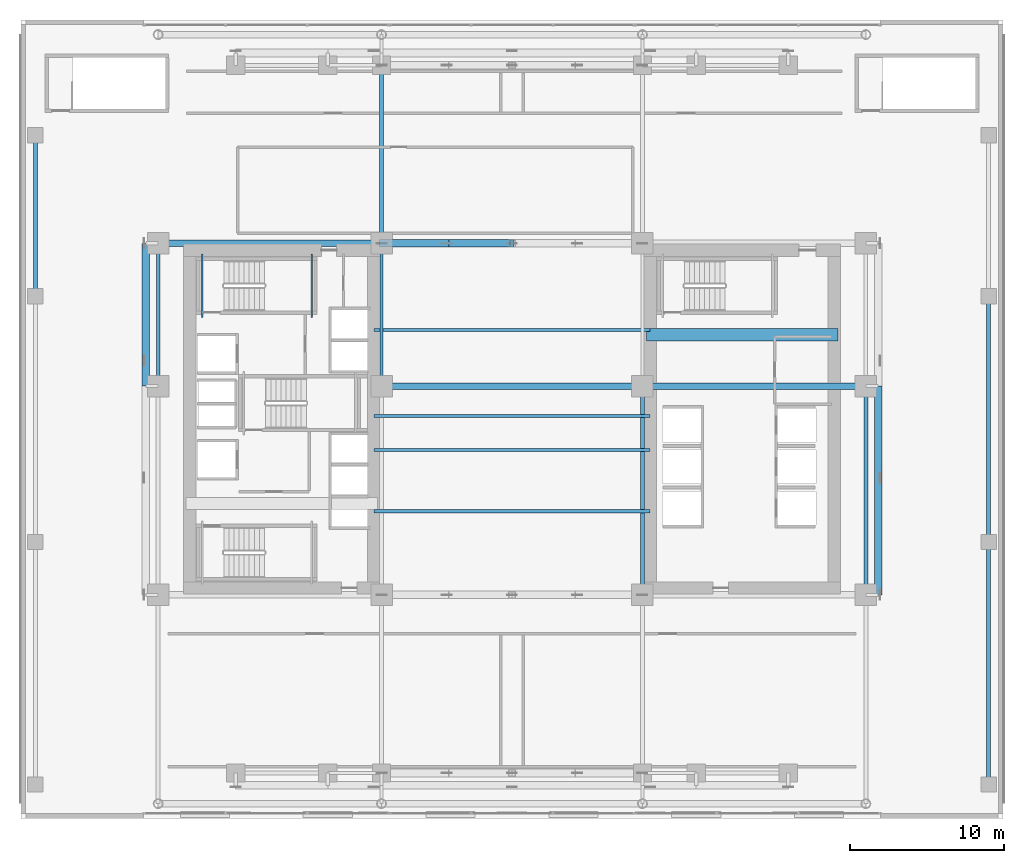
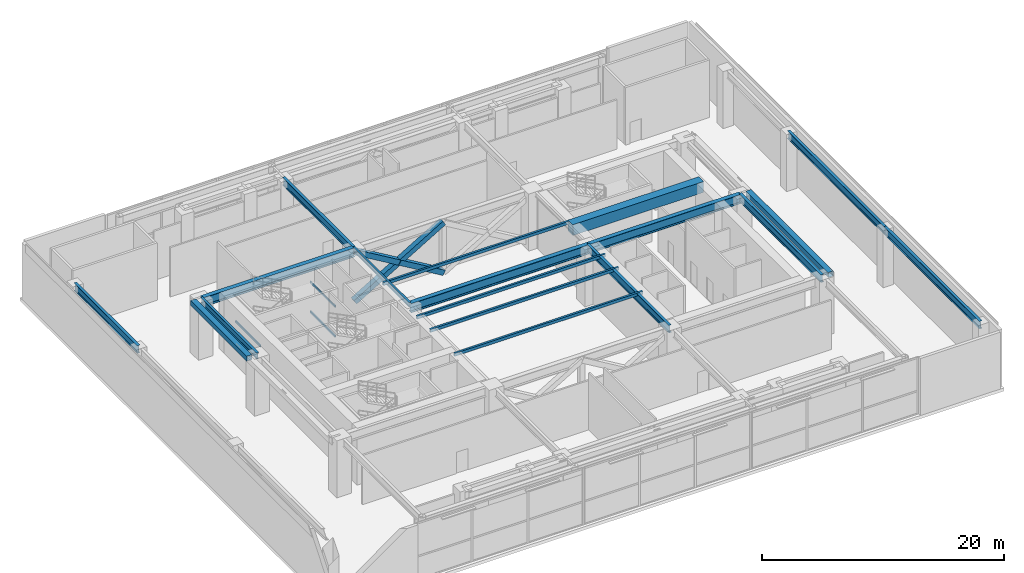
# One storey, part 11 of 29: 17 beams, 7 members.
"""IFC4 building model written with IfcOpenShell, lengths in metres."""

from ifc_helpers import new_model, si_unit, direction, frame, origin, origin_2d, place, context, subcontext, project, spatial, rectangle, hollow_rectangle, i_section, extrude, source, transform, mapped, material, material_profile, profile_set, type_object, element, save


model = new_model("IFC4")

# Units and contexts
model_context = context("Model", 3, precision=1e-05, world=origin(), true_north=direction((0.0, 1.0)))
body_context = subcontext(model_context, "Body", "Model", "MODEL_VIEW")
ifc_project = project(units=[si_unit("LENGTHUNIT", "METRE"), si_unit("AREAUNIT", "SQUARE_METRE"), si_unit("VOLUMEUNIT", "CUBIC_METRE"), si_unit("PLANEANGLEUNIT", "RADIAN"), si_unit("MASSUNIT", "GRAM", prefix="KILO")], contexts=[model_context])

# Site, building, storey
site_placement = place(None, origin())
site = spatial("IfcSite", under=ifc_project, at=site_placement, CompositionType="ELEMENT")
building_placement = place(site_placement, origin())
building = spatial("IfcBuilding", under=site, at=building_placement, Name="Ocotamira Hotel", CompositionType="ELEMENT")
storey_placement = place(building_placement, frame((0.0, 0.0, 28.800048828125)))
storey = spatial("IfcBuildingStorey", under=building, at=storey_placement, Name="L06", CompositionType="ELEMENT", Elevation=28.800048828125)

# Beams
ifc_material_1 = material(Name="Concrete C60/75", Category="concrete")
ifc_material_profile_1 = material_profile(ifc_material_1, rectangle(XDim=0.800048828125, YDim=1.10009765625, at=origin_2d()), Name="RC800X1100")
ifc_profile_set_1 = profile_set([ifc_material_profile_1], Name="Concrete C60/75")
beam_type_1 = type_object("IfcBeamType", Name="BM-LINK-RC800", PredefinedType="LINTEL", material=ifc_profile_set_1)
shared_shape_1 = source(origin(), body_context, "Body", "SweptSolid", [
    extrude(rectangle(XDim=0.800048828125, YDim=1.10009765625, at=origin_2d()), origin(), (0.0, 0.0, 1.0), 12.5),
])
beam_1_placement = place(storey_placement, frame((40.75, 31.5, 5.199951171875), z_axis=(1.0, 0.0, 0.0), x_axis=(0.0, 1.0, 0.0)))
element("IfcBeam", 1, at=beam_1_placement, inside=storey, type_object=beam_type_1, Name="L06 East Core Coupling Beam", PredefinedType="LINTEL", context=body_context, shape_type="MappedRepresentation", body=[
    mapped(shared_shape_1, transform((0.0, 0.0, 0.0), scale=1.0)),
])
ifc_material_2 = material(Name="Steel ASTM A500 Grade C", Category="steel")
ifc_material_profile_2 = material_profile(ifc_material_2, hollow_rectangle(XDim=0.10009765625, YDim=0.199951171875, WallThickness=0.008056640625, at=origin_2d()), Name="HSS200X100X8")
ifc_profile_set_2 = profile_set([ifc_material_profile_2], Name="Steel ASTM A500 Grade C")
beam_type_2 = type_object("IfcBeamType", Name="BM-STLDG-HSS200", PredefinedType="BEAM", material=ifc_profile_set_2)
shared_shape_2 = source(origin(), body_context, "Body", "SweptSolid", [
    extrude(hollow_rectangle(XDim=0.10009765625, YDim=0.199951171875, WallThickness=0.008056640625, at=origin_2d()), origin(), (0.0, 0.0, 1.0), 4.1201171875),
])
for number, where, z_axis, x_axis, name in (
    (2, (18.949951171875, 32.6298828125, 1.199951171875), (0.0, 1.0, 0.0), (-1.0, 0.0, 0.0), "L06 Stair ST-2 Landing Bearer 1"),
    (3, (11.81005859375, 32.6298828125, 2.699951171875), (0.0, 1.0, 0.0), (-1.0, 0.0, 0.0), "L06 Stair ST-2 Landing Bearer 2"),
    (4, (18.949951171875, 32.6298828125, 4.199951171875), (0.0, 1.0, 0.0), (-1.0, 0.0, 0.0), "L06 Stair ST-2 Landing Bearer 3"),
):
    element("IfcBeam", number, at=place(storey_placement, frame(where, z_axis=z_axis, x_axis=x_axis)), inside=storey, type_object=beam_type_2, Name=name, PredefinedType="BEAM", context=body_context, shape_type="MappedRepresentation", body=[
        mapped(shared_shape_2, transform((0.0, 0.0, 0.0), scale=1.0)),
    ])
ifc_material_3 = material(Name="Steel ASTM A992 Grade 50", Category="steel")
ifc_material_profile_3 = material_profile(ifc_material_3, i_section(OverallWidth=0.41796875, OverallDepth=0.927001953125, WebThickness=0.019287109375, FlangeThickness=0.031982421875, FilletRadius=0.02392578125, at=origin_2d()), Name="W36X231")
ifc_profile_set_3 = profile_set([ifc_material_profile_3], Name="Steel ASTM A992 Grade 50")
beam_type_3 = type_object("IfcBeamType", Name="BM-GIRD-W36X231", PredefinedType="BEAM", material=ifc_profile_set_3)
shared_shape_3 = source(origin(), body_context, "Body", "SweptSolid", [
    extrude(i_section(OverallWidth=0.41796875, OverallDepth=0.927001953125, WebThickness=0.019287109375, FlangeThickness=0.031982421875, FilletRadius=0.02392578125, at=origin_2d()), origin(), (0.0, 0.0, 1.0), 14.550048828125),
])
for number, where, z_axis, x_axis, name in (
    (5, (40.5, 28.14990234375, 5.286376953125), (1.0, 0.0, 0.0), (0.0, 1.0, 0.0), "L06 Girder Y28.15 X40.5-55.05"),
    (6, (8.949951171875, 37.449951171875, 5.286376953125), (1.0, 0.0, 0.0), (0.0, 1.0, 0.0), "L06 Girder Y37.45 X8.95-23.5"),
):
    element("IfcBeam", number, at=place(storey_placement, frame(where, z_axis=z_axis, x_axis=x_axis)), inside=storey, type_object=beam_type_3, Name=name, PredefinedType="BEAM", context=body_context, shape_type="MappedRepresentation", body=[
        mapped(shared_shape_3, transform((0.0, 0.0, 0.0), scale=1.0)),
    ])
ifc_material_profile_4 = material_profile(ifc_material_3, i_section(OverallWidth=0.26611328125, OverallDepth=0.779052734375, WebThickness=0.0166015625, FlangeThickness=0.030029296875, FilletRadius=0.01806640625, at=origin_2d()), Name="W30X148")
ifc_profile_set_4 = profile_set([ifc_material_profile_4], Name="Steel ASTM A992 Grade 50")
beam_type_4 = type_object("IfcBeamType", Name="BM-GIRD-W30X148", PredefinedType="BEAM", material=ifc_profile_set_4)
shared_shape_4 = source(origin(), body_context, "Body", "SweptSolid", [
    extrude(i_section(OverallWidth=0.26611328125, OverallDepth=0.779052734375, WebThickness=0.0166015625, FlangeThickness=0.030029296875, FilletRadius=0.01806640625, at=origin_2d()), origin(), (0.0, 0.0, 1.0), 15.800048828125),
])
beam_2_placement = place(storey_placement, frame((63.050048828125, 2.199951171875, 5.3603515625), z_axis=(0.0, 1.0, 0.0), x_axis=(-1.0, 0.0, 0.0)))
element("IfcBeam", 7, at=beam_2_placement, inside=storey, type_object=beam_type_4, Name="L06 Beam X63.05 Y2.2-18", PredefinedType="BEAM", context=body_context, shape_type="MappedRepresentation", body=[
    mapped(shared_shape_4, transform((0.0, 0.0, 0.0), scale=1.0)),
])
shared_shape_5 = source(origin(), body_context, "Body", "SweptSolid", [
    extrude(i_section(OverallWidth=0.26611328125, OverallDepth=0.779052734375, WebThickness=0.0166015625, FlangeThickness=0.030029296875, FilletRadius=0.01806640625, at=origin_2d()), origin(), (0.0, 0.0, 1.0), 16.0),
])
beam_3_placement = place(storey_placement, frame((63.050048828125, 18.0, 5.3603515625), z_axis=(0.0, 1.0, 0.0), x_axis=(-1.0, 0.0, 0.0)))
element("IfcBeam", 8, at=beam_3_placement, inside=storey, type_object=beam_type_4, Name="L06 Beam X63.05 Y18-34", PredefinedType="BEAM", context=body_context, shape_type="MappedRepresentation", body=[
    mapped(shared_shape_5, transform((0.0, 0.0, 0.0), scale=1.0)),
])
shared_shape_6 = source(origin(), body_context, "Body", "SweptSolid", [
    extrude(i_section(OverallWidth=0.26611328125, OverallDepth=0.779052734375, WebThickness=0.0166015625, FlangeThickness=0.030029296875, FilletRadius=0.01806640625, at=origin_2d()), origin(), (0.0, 0.0, 1.0), 10.5),
])
beam_4_placement = place(storey_placement, frame((0.949951171875, 34.0, 5.3603515625), z_axis=(0.0, 1.0, 0.0), x_axis=(-1.0, 0.0, 0.0)))
element("IfcBeam", 9, at=beam_4_placement, inside=storey, type_object=beam_type_4, Name="L06 Beam X0.95 Y34-44.5", PredefinedType="BEAM", context=body_context, shape_type="MappedRepresentation", body=[
    mapped(shared_shape_6, transform((0.0, 0.0, 0.0), scale=1.0)),
])
shared_shape_7 = source(origin(), body_context, "Body", "SweptSolid", [
    extrude(i_section(OverallWidth=0.26611328125, OverallDepth=0.779052734375, WebThickness=0.0166015625, FlangeThickness=0.030029296875, FilletRadius=0.01806640625, at=origin_2d()), origin(), (0.0, 0.0, 1.0), 13.599853515625),
])
for number, where, z_axis, x_axis, name in (
    (10, (40.5, 14.550048828125, 5.3603515625), (0.0, 1.0, 0.0), (-1.0, 0.0, 0.0), "L06 Beam X40.5 Y14.55-28.15"),
    (11, (55.050048828125, 14.550048828125, 5.3603515625), (0.0, 1.0, 0.0), (-1.0, 0.0, 0.0), "L06 Beam X55.05 Y14.55-28.15"),
):
    element("IfcBeam", number, at=place(storey_placement, frame(where, z_axis=z_axis, x_axis=x_axis)), inside=storey, type_object=beam_type_4, Name=name, PredefinedType="BEAM", context=body_context, shape_type="MappedRepresentation", body=[
        mapped(shared_shape_7, transform((0.0, 0.0, 0.0), scale=1.0)),
    ])
ifc_material_profile_5 = material_profile(ifc_material_3, i_section(OverallWidth=0.22998046875, OverallDepth=0.616943359375, WebThickness=0.01318359375, FlangeThickness=0.022216796875, FilletRadius=0.012939453125, at=origin_2d()), Name="W24X94")
ifc_profile_set_5 = profile_set([ifc_material_profile_5], Name="Steel ASTM A992 Grade 50")
beam_type_5 = type_object("IfcBeamType", Name="BM-PRIM-W24X94", PredefinedType="BEAM", material=ifc_profile_set_5)
shared_shape_8 = source(origin(), body_context, "Body", "SweptSolid", [
    extrude(i_section(OverallWidth=0.22998046875, OverallDepth=0.616943359375, WebThickness=0.01318359375, FlangeThickness=0.022216796875, FilletRadius=0.012939453125, at=origin_2d()), origin(), (0.0, 0.0, 1.0), 9.300048828125),
])
beam_5_placement = place(storey_placement, frame((8.949951171875, 28.14990234375, 5.44140625), z_axis=(0.0, 1.0, 0.0), x_axis=(-1.0, 0.0, 0.0)))
element("IfcBeam", 12, at=beam_5_placement, inside=storey, type_object=beam_type_5, Name="L06 Beam X8.95 Y28.15-37.45", PredefinedType="BEAM", context=body_context, shape_type="MappedRepresentation", body=[
    mapped(shared_shape_8, transform((0.0, 0.0, 0.0), scale=1.0)),
])
shared_shape_9 = source(origin(), body_context, "Body", "SweptSolid", [
    extrude(i_section(OverallWidth=0.26611328125, OverallDepth=0.779052734375, WebThickness=0.0166015625, FlangeThickness=0.030029296875, FilletRadius=0.01806640625, at=origin_2d()), origin(), (0.0, 0.0, 1.0), 11.60009765625),
])
beam_6_placement = place(storey_placement, frame((23.5, 37.449951171875, 5.3603515625), z_axis=(0.0, 1.0, 0.0), x_axis=(-1.0, 0.0, 0.0)))
element("IfcBeam", 13, at=beam_6_placement, inside=storey, type_object=beam_type_4, Name="L06 Beam X23.5 Y37.45-49.05", PredefinedType="BEAM", context=body_context, shape_type="MappedRepresentation", body=[
    mapped(shared_shape_9, transform((0.0, 0.0, 0.0), scale=1.0)),
])
ifc_material_profile_6 = material_profile(ifc_material_3, i_section(OverallWidth=0.18994140625, OverallDepth=0.45703125, WebThickness=0.009033203125, FlangeThickness=0.014404296875, FilletRadius=0.010009765625, at=origin_2d()), Name="W18X50")
ifc_profile_set_6 = profile_set([ifc_material_profile_6], Name="Steel ASTM A992 Grade 50")
beam_type_6 = type_object("IfcBeamType", Name="BM-SEC-W18X50", PredefinedType="JOIST", material=ifc_profile_set_6)
shared_shape_10 = source(origin(), body_context, "Body", "SweptSolid", [
    extrude(i_section(OverallWidth=0.18994140625, OverallDepth=0.45703125, WebThickness=0.009033203125, FlangeThickness=0.014404296875, FilletRadius=0.010009765625, at=origin_2d()), origin(), (0.0, 0.0, 1.0), 9.300048828125),
])
beam_7_placement = place(storey_placement, frame((23.5, 28.14990234375, 5.521484375), z_axis=(0.0, 1.0, 0.0), x_axis=(-1.0, 0.0, 0.0)))
element("IfcBeam", 14, at=beam_7_placement, inside=storey, type_object=beam_type_6, Name="L06 Beam X23.5 Y28.15-37.45", PredefinedType="JOIST", context=body_context, shape_type="MappedRepresentation", body=[
    mapped(shared_shape_10, transform((0.0, 0.0, 0.0), scale=1.0)),
])
ifc_material_4 = material(Name="Steel ASTM A913 Grade 65", Category="steel")
ifc_material_profile_7 = material_profile(ifc_material_4, i_section(OverallWidth=0.423095703125, OverallDepth=0.947998046875, WebThickness=0.02392578125, FlangeThickness=0.042724609375, FilletRadius=0.02392578125, at=origin_2d()), Name="W36X302")
ifc_profile_set_7 = profile_set([ifc_material_profile_7], Name="Steel ASTM A913 Grade 65")
beam_type_7 = type_object("IfcBeamType", Name="BM-TRUSS-W36X302", PredefinedType="BEAM", material=ifc_profile_set_7)
shared_shape_11 = source(origin(), body_context, "Body", "SweptSolid", [
    extrude(i_section(OverallWidth=0.423095703125, OverallDepth=0.947998046875, WebThickness=0.02392578125, FlangeThickness=0.042724609375, FilletRadius=0.02392578125, at=origin_2d()), origin(), (0.0, 0.0, 1.0), 17.0),
])
beam_8_placement = place(storey_placement, frame((23.5, 28.14990234375, 5.27587890625), z_axis=(1.0, 0.0, 0.0), x_axis=(0.0, 1.0, 0.0)))
element("IfcBeam", 15, at=beam_8_placement, inside=storey, type_object=beam_type_7, Name="L06 Girder Y28.15 X23.5-40.5", PredefinedType="BEAM", context=body_context, shape_type="MappedRepresentation", body=[
    mapped(shared_shape_11, transform((0.0, 0.0, 0.0), scale=1.0)),
])

# Members
ifc_material_profile_8 = material_profile(ifc_material_2, hollow_rectangle(XDim=0.199951171875, YDim=0.300048828125, WallThickness=0.011962890625, at=origin_2d()), Name="HSS300X200X12")
ifc_profile_set_8 = profile_set([ifc_material_profile_8], Name="Steel ASTM A500 Grade C")
member_type_1 = type_object("IfcMemberType", Name="MEM-PURL-HSS300", PredefinedType="PURLIN", material=ifc_profile_set_8)
shared_shape_12 = source(origin(), body_context, "Body", "SweptSolid", [
    extrude(hollow_rectangle(XDim=0.199951171875, YDim=0.300048828125, WallThickness=0.011962890625, at=origin_2d()), origin(), (0.0, 0.0, 1.0), 18.0),
])
for number, where, z_axis, x_axis, name in (
    (16, (23.0, 20.0, 5.599853515625), (1.0, 0.0, 0.0), (0.0, 1.0, 0.0), "L06 Atrium Roof Purlin Y20"),
    (17, (23.0, 24.0, 5.599853515625), (1.0, 0.0, 0.0), (0.0, 1.0, 0.0), "L06 Atrium Roof Purlin Y24"),
    (18, (23.0, 26.199951171875, 5.599853515625), (1.0, 0.0, 0.0), (0.0, 1.0, 0.0), "L06 Atrium Roof Purlin Y26.2"),
    (19, (23.0, 31.800048828125, 5.599853515625), (1.0, 0.0, 0.0), (0.0, 1.0, 0.0), "L06 Atrium Roof Purlin Y31.8"),
):
    element("IfcMember", number, at=place(storey_placement, frame(where, z_axis=z_axis, x_axis=x_axis)), inside=storey, type_object=member_type_1, Name=name, PredefinedType="PURLIN", context=body_context, shape_type="MappedRepresentation", body=[
        mapped(shared_shape_12, transform((0.0, 0.0, 0.0), scale=1.0)),
    ])

# Beams
ifc_material_profile_9 = material_profile(ifc_material_2, hollow_rectangle(XDim=0.5, YDim=0.5, WallThickness=0.02001953125, at=origin_2d()), Name="HSS500X500X20")
ifc_profile_set_9 = profile_set([ifc_material_profile_9], Name="Steel ASTM A500 Grade C")
beam_type_8 = type_object("IfcBeamType", Name="BM-SPAN-HSS500", PredefinedType="USERDEFINED", material=ifc_profile_set_9)
shared_shape_13 = source(origin(), body_context, "Body", "SweptSolid", [
    extrude(hollow_rectangle(XDim=0.5, YDim=0.5, WallThickness=0.02001953125, at=origin_2d()), origin(), (0.0, 0.0, 1.0), 13.599853515625),
])
beam_9_placement = place(storey_placement, frame((55.85009765625, 14.550048828125, 5.5), z_axis=(0.0, 1.0, 0.0), x_axis=(-1.0, 0.0, 0.0)))
element("IfcBeam", 20, at=beam_9_placement, inside=storey, type_object=beam_type_8, Name="L06 Edge Spandrel E Y14.55-28.15", ObjectType="SPANDREL", PredefinedType="USERDEFINED", context=body_context, shape_type="MappedRepresentation", body=[
    mapped(shared_shape_13, transform((0.0, 0.0, 0.0), scale=1.0)),
])
shared_shape_14 = source(origin(), body_context, "Body", "SweptSolid", [
    extrude(hollow_rectangle(XDim=0.5, YDim=0.5, WallThickness=0.02001953125, at=origin_2d()), origin(), (0.0, 0.0, 1.0), 9.300048828125),
])
beam_10_placement = place(storey_placement, frame((8.14990234375, 28.14990234375, 5.5), z_axis=(0.0, 1.0, 0.0), x_axis=(-1.0, 0.0, 0.0)))
element("IfcBeam", 21, at=beam_10_placement, inside=storey, type_object=beam_type_8, Name="L06 Edge Spandrel W Y28.15-37.45", ObjectType="SPANDREL", PredefinedType="USERDEFINED", context=body_context, shape_type="MappedRepresentation", body=[
    mapped(shared_shape_14, transform((0.0, 0.0, 0.0), scale=1.0)),
])

# Members
ifc_material_profile_10 = material_profile(ifc_material_4, hollow_rectangle(XDim=0.5, YDim=0.5, WallThickness=0.02001953125, at=origin_2d()), Name="HSS500X500X20")
ifc_profile_set_10 = profile_set([ifc_material_profile_10], Name="Steel ASTM A913 Grade 65")
member_type_2 = type_object("IfcMemberType", Name="MEM-OUT-HSS500", PredefinedType="BRACE", material=ifc_profile_set_10)
shared_shape_15 = source(origin(), body_context, "Body", "SweptSolid", [
    extrude(hollow_rectangle(XDim=0.5, YDim=0.5, WallThickness=0.02001953125, at=origin_2d()), origin(), (0.0, 0.0, 1.0), 9.886962890625),
])
member_placement = place(storey_placement, frame((23.5, 37.449951171875, 0.25), z_axis=(0.859713791233, 0.0, 0.510776073405), x_axis=(0.0, 1.0, 0.0)))
element("IfcMember", 22, at=member_placement, inside=storey, type_object=member_type_2, Name="L06 Portal Transfer Truss Diagonal Y37.45-1", PredefinedType="BRACE", context=body_context, shape_type="MappedRepresentation", body=[
    mapped(shared_shape_15, transform((0.0, 0.0, 0.0), scale=1.0)),
])
shared_shape_16 = source(origin(), body_context, "Body", "SweptSolid", [
    extrude(hollow_rectangle(XDim=0.5, YDim=0.5, WallThickness=0.02001953125, at=origin_2d()), origin(), (0.0, 0.0, 1.0), 4.923583984375),
])
for number, where, z_axis, x_axis, name in (
    (23, (23.5, 37.449951171875, 5.300048828125), (0.859711861236, 0.0, -0.51077932187), (0.0, 1.0, 0.0), "L06 Portal Transfer Truss Diagonal Y37.45-3 Lower Half"),
    (24, (27.76708984375, 37.449951171875, 2.7646484375), (0.859733635103, 0.0, -0.510742671678), (0.0, 1.0, 0.0), "L06 Portal Transfer Truss Diagonal Y37.45-3 Upper Half"),
):
    element("IfcMember", number, at=place(storey_placement, frame(where, z_axis=z_axis, x_axis=x_axis)), inside=storey, type_object=member_type_2, Name=name, PredefinedType="BRACE", context=body_context, shape_type="MappedRepresentation", body=[
        mapped(shared_shape_16, transform((0.0, 0.0, 0.0), scale=1.0)),
    ])

save(model, "model.ifc")
